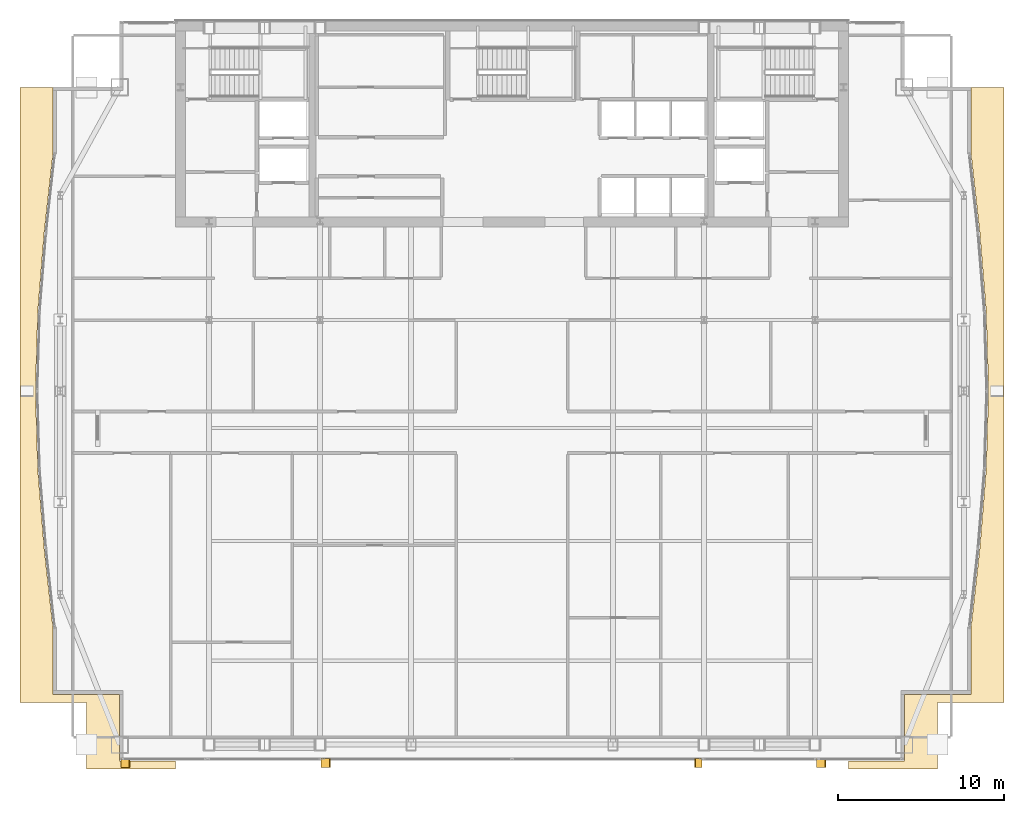
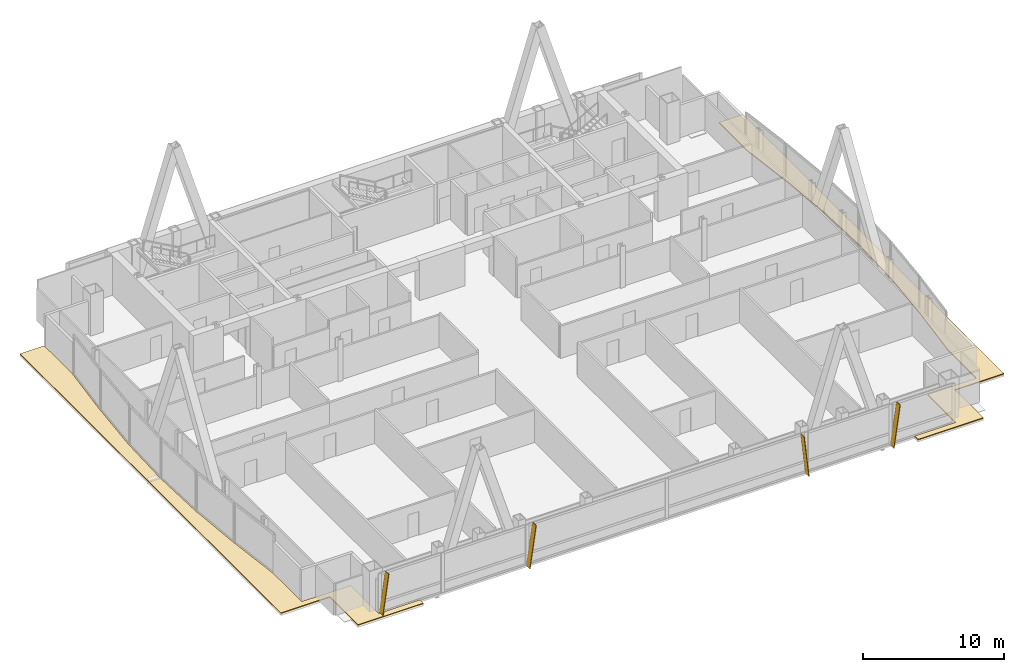
# One storey, part 29 of 30: 4 shading devices, 2 coverings.
"""IFC4 building model written with IfcOpenShell, lengths in metres."""

from ifc_helpers import new_model, si_unit, direction, frame, origin, place, context, subcontext, project, spatial, polyline, outline, extrude, material, layer, layer_set, type_object, element, save


model = new_model("IFC4")

# Units and contexts
model_context = context("Model", 3, precision=1e-05, world=origin(), true_north=direction((0.0, 1.0)))
body_context = subcontext(model_context, "Body", "Model", "MODEL_VIEW")
ifc_project = project(units=[si_unit("LENGTHUNIT", "METRE"), si_unit("AREAUNIT", "SQUARE_METRE"), si_unit("VOLUMEUNIT", "CUBIC_METRE"), si_unit("PLANEANGLEUNIT", "RADIAN"), si_unit("MASSUNIT", "GRAM", prefix="KILO")], contexts=[model_context])

# Site, building, storey
site_placement = place(None, origin())
site = spatial("IfcSite", under=ifc_project, at=site_placement, CompositionType="ELEMENT")
building_placement = place(site_placement, origin())
building = spatial("IfcBuilding", under=site, at=building_placement, Name="Khoronbel Lancet Exchange", CompositionType="ELEMENT")
storey_placement = place(building_placement, frame((0.0, 0.0, 239.0)))
storey = spatial("IfcBuildingStorey", under=building, at=storey_placement, Name="L61", CompositionType="ELEMENT", Elevation=239.0)

# Coverings
ifc_material_1 = material(Name="Standing-Seam Bronze & SBS Waterproofing Assembly", Category="aluminium")
ifc_layer_1 = layer(ifc_material_1, 0.080078125, Name="Standing-Seam Bronze & SBS Waterproofing Assembly")
ifc_layer_set_1 = layer_set([ifc_layer_1], Name="Standing-Seam Bronze & SBS Waterproofing Assembly")
covering_type = type_object("IfcCoveringType", Name="COV-ROOF1", PredefinedType="ROOFING", material=ifc_layer_set_1)
covering_1_placement = place(storey_placement, origin())
element("IfcCovering", 1, at=covering_1_placement, inside=storey, type_object=covering_type, Name="Level L61 setback roof slab 1 insulated roofing assembly", PredefinedType="ROOFING", context=body_context, shape_type="SweptSolid", body=[
    extrude(outline(polyline([(10.85009765625, 8.699951171875), (10.85009765625, 12.699951171875), (6.85009765625, 12.699951171875), (6.85009765625, 16.699951171875), (6.85009765625, 45.699951171875), (6.85009765625, 49.699951171875), (8.830078125, 49.699951171875), (8.830078125, 45.701171875), (8.30517578125, 40.9521484375), (8.30517578125, 40.95166015625), (7.9208984375, 36.20166015625), (7.920654296875, 36.20068359375), (7.780029296875, 31.45068359375), (7.780029296875, 31.449462890625), (7.920654296875, 26.699462890625), (7.9208984375, 26.698486328125), (8.30517578125, 21.948486328125), (8.30517578125, 21.94775390625), (8.830078125, 17.198974609375), (8.830078125, 13.199951171875), (8.830078125, 13.197998046875), (8.830322265625, 13.196044921875), (8.830810546875, 13.194091796875), (8.83154296875, 13.1923828125), (8.83251953125, 13.190673828125), (8.83349609375, 13.18896484375), (8.83447265625, 13.187255859375), (8.8359375, 13.185791015625), (8.83740234375, 13.1845703125), (8.8388671875, 13.183349609375), (8.840576171875, 13.182373046875), (8.84228515625, 13.181396484375), (8.84423828125, 13.180908203125), (8.84619140625, 13.180419921875), (8.847900390625, 13.18017578125), (8.85009765625, 13.179931640625), (12.830078125, 13.179931640625), (12.830078125, 9.199951171875), (12.830078125, 9.197998046875), (12.830322265625, 9.196044921875), (12.830810546875, 9.194091796875), (12.83154296875, 9.1923828125), (12.83251953125, 9.190673828125), (12.83349609375, 9.18896484375), (12.83447265625, 9.187255859375), (12.8359375, 9.185791015625), (12.83740234375, 9.1845703125), (12.8388671875, 9.183349609375), (12.840576171875, 9.182373046875), (12.84228515625, 9.181396484375), (12.84423828125, 9.180908203125), (12.84619140625, 9.180419921875), (12.847900390625, 9.18017578125), (12.85009765625, 9.179931640625), (16.199951171875, 9.179931640625), (16.199951171875, 8.699951171875), (10.85009765625, 8.699951171875)])), origin(), (0.0, 0.0, 1.0), 0.080078125),
])
covering_2_placement = place(storey_placement, origin())
element("IfcCovering", 2, at=covering_2_placement, inside=storey, type_object=covering_type, Name="Level L61 setback roof slab 2 insulated roofing assembly", PredefinedType="ROOFING", context=body_context, shape_type="SweptSolid", body=[
    extrude(outline(polyline([(66.050048828125, 45.699951171875), (66.050048828125, 16.699951171875), (66.050048828125, 12.699951171875), (62.050048828125, 12.699951171875), (62.050048828125, 8.699951171875), (56.699951171875, 8.699951171875), (56.699951171875, 9.179931640625), (60.050048828125, 9.179931640625), (60.052001953125, 9.18017578125), (60.053955078125, 9.180419921875), (60.055908203125, 9.180908203125), (60.0576171875, 9.181396484375), (60.059326171875, 9.182373046875), (60.06103515625, 9.183349609375), (60.062744140625, 9.1845703125), (60.064208984375, 9.185791015625), (60.0654296875, 9.187255859375), (60.066650390625, 9.18896484375), (60.067626953125, 9.190673828125), (60.068603515625, 9.1923828125), (60.069091796875, 9.194091796875), (60.069580078125, 9.196044921875), (60.06982421875, 9.197998046875), (60.070068359375, 9.199951171875), (60.070068359375, 13.179931640625), (64.050048828125, 13.179931640625), (64.052001953125, 13.18017578125), (64.053955078125, 13.180419921875), (64.055908203125, 13.180908203125), (64.0576171875, 13.181396484375), (64.059326171875, 13.182373046875), (64.06103515625, 13.183349609375), (64.062744140625, 13.1845703125), (64.064208984375, 13.185791015625), (64.0654296875, 13.187255859375), (64.066650390625, 13.18896484375), (64.067626953125, 13.190673828125), (64.068603515625, 13.1923828125), (64.069091796875, 13.194091796875), (64.069580078125, 13.196044921875), (64.06982421875, 13.197998046875), (64.070068359375, 13.199951171875), (64.070068359375, 17.198974609375), (64.594970703125, 21.94775390625), (64.594970703125, 21.948486328125), (64.979248046875, 26.698486328125), (64.979248046875, 26.699462890625), (65.1201171875, 31.449462890625), (65.1201171875, 31.45068359375), (64.979248046875, 36.20068359375), (64.979248046875, 36.20166015625), (64.594970703125, 40.95166015625), (64.594970703125, 40.9521484375), (64.070068359375, 45.701171875), (64.070068359375, 49.699951171875), (66.050048828125, 49.699951171875), (66.050048828125, 45.699951171875)])), origin(), (0.0, 0.0, 1.0), 0.080078125),
])

# Shading devices
ifc_material_2 = material(Name="Bronze-Anodised Aluminium 6063-T6", Category="aluminium")
ifc_layer_2 = layer(ifc_material_2, 0.054931640625, Name="Bronze-Anodised Aluminium 6063-T6")
ifc_layer_set_2 = layer_set([ifc_layer_2], Name="Bronze-Anodised Aluminium 6063-T6")
shading_device_type = type_object("IfcShadingDeviceType", Name="SHD-FIN1", PredefinedType="USERDEFINED", material=ifc_layer_set_2)
for number, where, z_axis, x_axis, name in (
    (3, (12.91259765625, 9.31005859375, -0.080078125), (-0.990092925251, 0.0, 0.140413672296), (0.0, -1.0, 0.0), "Slanted bronze solar fin CW-L61-SWV-0"),
    (4, (24.972412109375, 9.31005859375, -0.080078125), (-0.990083483708, 0.0, 0.140480230955), (0.0, -1.0, 0.0), "Slanted bronze solar fin CW-L61-SCV-0"),
):
    element("IfcShadingDevice", number, at=place(storey_placement, frame(where, z_axis=z_axis, x_axis=x_axis)), inside=storey, type_object=shading_device_type, Name=name, ObjectType="FIN", PredefinedType="USERDEFINED", context=body_context, shape_type="SweptSolid", body=[
        extrude(outline(polyline([(0.0, 0.0), (0.52001953125, 0.0), (0.52001953125, 3.595703125), (0.0, 3.595703125), (0.0, 0.0)])), origin(), (0.0, 0.0, -1.0), 0.054931640625),
    ])
shading_device_1_placement = place(storey_placement, frame((47.87255859375, 9.31005859375, -0.080078125), z_axis=(0.993900347655, 0.0, 0.110281906632), x_axis=(0.0, -1.0, 0.0)))
element("IfcShadingDevice", 5, at=shading_device_1_placement, inside=storey, type_object=shading_device_type, Name="Slanted bronze solar fin CW-L61-SCV-2", ObjectType="FIN", PredefinedType="USERDEFINED", context=body_context, shape_type="SweptSolid", body=[
    extrude(outline(polyline([(0.0, 0.0), (0.52001953125, 0.0), (0.52001953125, -3.581787109375), (0.0, -3.581787109375), (0.0, 0.0)])), origin(), (0.0, 0.0, -1.0), 0.054931640625),
])
shading_device_2_placement = place(storey_placement, frame((54.7724609375, 9.31005859375, -0.080078125), z_axis=(-0.990083483708, 0.0, 0.140480230955), x_axis=(0.0, -1.0, 0.0)))
element("IfcShadingDevice", 6, at=shading_device_2_placement, inside=storey, type_object=shading_device_type, Name="Slanted bronze solar fin CW-L61-SEV-0", ObjectType="FIN", PredefinedType="USERDEFINED", context=body_context, shape_type="SweptSolid", body=[
    extrude(outline(polyline([(0.0, 0.0), (0.52001953125, 0.0), (0.52001953125, 3.595703125), (0.0, 3.595703125), (0.0, 0.0)])), origin(), (0.0, 0.0, -1.0), 0.054931640625),
])

save(model, "model.ifc")
